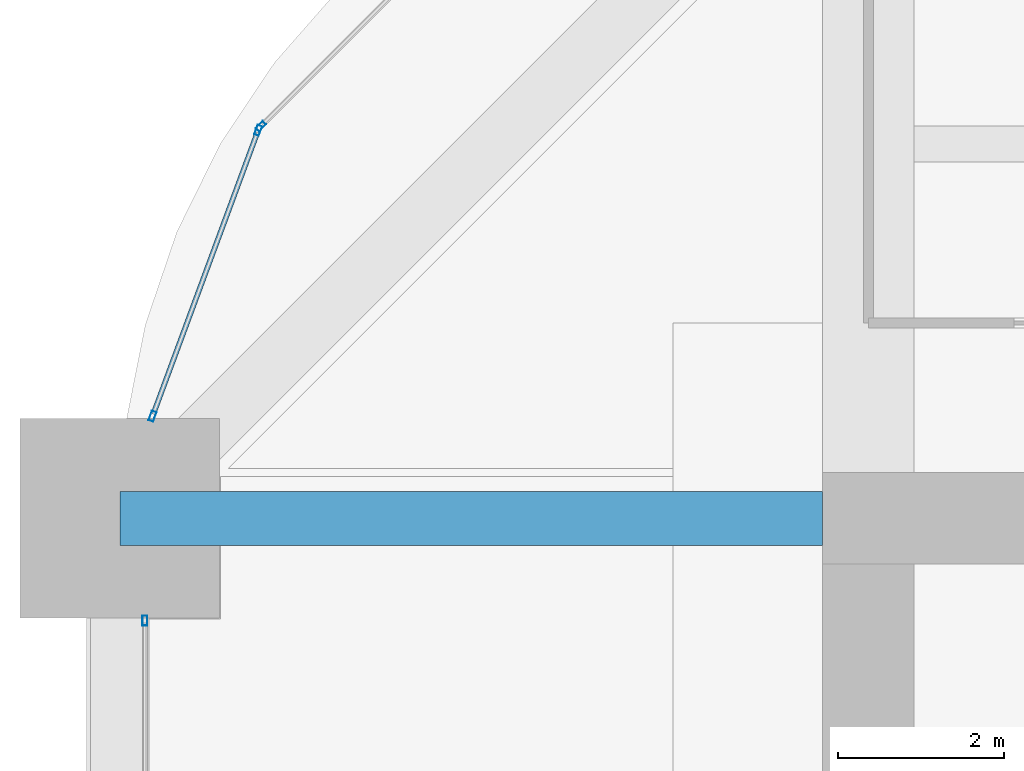
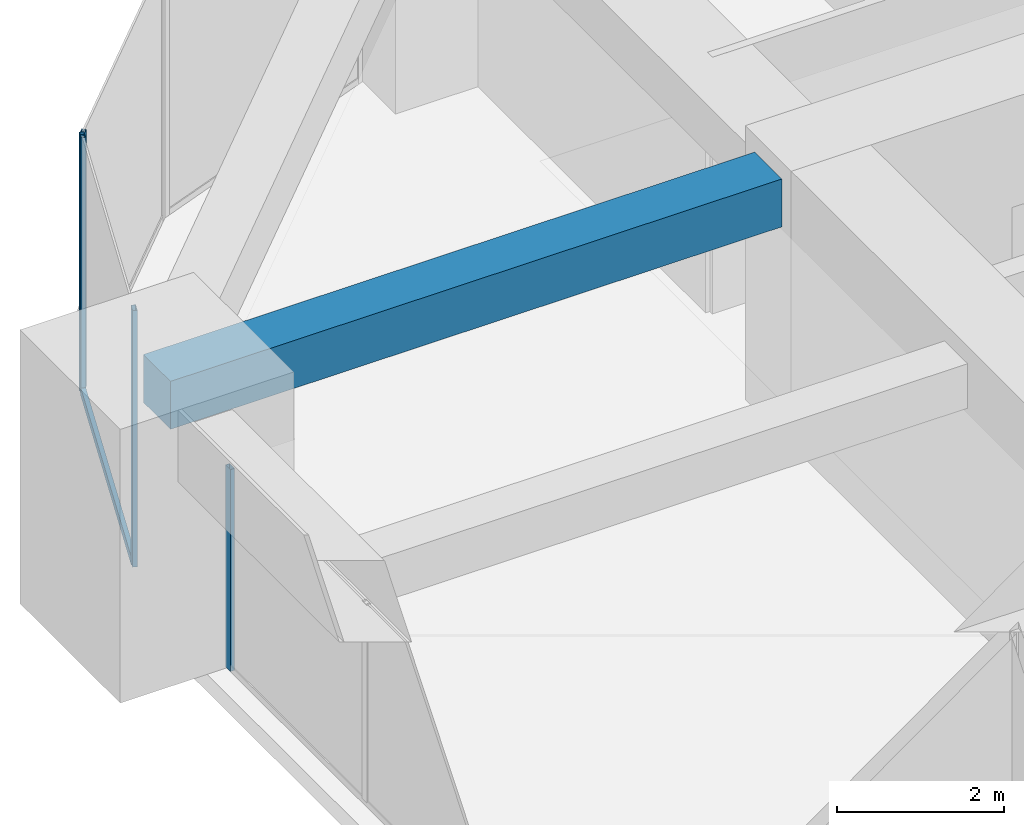
# One storey, part 28 of 45: 5 members, 1 beam, 3 elements without a shape of their own.
"""IFC4 building model written with IfcOpenShell, lengths in metres."""

import ifcopenshell
import ifcopenshell.guid

model = None  # the IFC model being written
_history = None  # IfcOwnerHistory: only IFC2X3 demands one
_inside = {}  # id of a spatial element -> (the spatial element, [elements in it])
_under = {}  # id of a project, library or spatial element -> (it, [spatial elements below it])
_declared = {}  # id of a project -> (the project, [libraries it declares])
_typed = {}  # id of a type object -> (the type object, [elements of that type])
_made_of = {}  # id of a material, layer set ... -> (it, [elements and type objects made of it])


def new_model(schema):
    """Start an empty IFC model of exactly this schema.

    Asked for "IFC4X3", IfcOpenShell would pick the latest addendum, in which some entities
    have other attributes; the version numbers below select the first issue.
    IFC2X3 requires an IfcOwnerHistory on every rooted entity: one is made here for all.
    """
    global model, _history
    if schema == "IFC4X3":
        model = ifcopenshell.file(schema_version=(4, 3, 0, 0))
    else:
        model = ifcopenshell.file(schema=schema)
    _inside.clear()
    _under.clear()
    _declared.clear()
    _typed.clear()
    _made_of.clear()
    _history = None
    if model.schema == "IFC2X3":
        org = make("IfcOrganization", Name="unknown")
        user = make(
            "IfcPersonAndOrganization",
            ThePerson=make("IfcPerson", FamilyName="unknown"),
            TheOrganization=org,
        )
        app = make(
            "IfcApplication",
            ApplicationDeveloper=org,
            Version="unknown",
            ApplicationFullName="unknown",
            ApplicationIdentifier="unknown",
        )
        _history = make(
            "IfcOwnerHistory",
            OwningUser=user,
            OwningApplication=app,
            ChangeAction="ADDED",
            CreationDate=0,
        )
    return model


def make(cls, **values):
    """One entity of the class cls with the attributes given. An attribute that is None is left unset."""
    return model.create_entity(
        cls, **{name: value for name, value in values.items() if value is not None}
    )


def rooted(cls, **values):
    """An entity with a GlobalId (a new one), such as an element, a storey or a relation."""
    return make(cls, GlobalId=ifcopenshell.guid.new(), OwnerHistory=_history, **values)


def si_unit(unit_type, name, prefix=None):
    """IfcSIUnit, for example si_unit("LENGTHUNIT", "METRE", prefix="MILLI")."""
    return make("IfcSIUnit", UnitType=unit_type, Prefix=prefix, Name=name)


def assignment(units):
    """IfcUnitAssignment: the units of a project."""
    return None if units is None else make("IfcUnitAssignment", Units=units)


def point(xyz):
    """IfcCartesianPoint."""
    return None if xyz is None else make("IfcCartesianPoint", Coordinates=xyz)


def direction(xyz):
    """IfcDirection."""
    return None if xyz is None else make("IfcDirection", DirectionRatios=xyz)


def frame(location, z_axis=None, x_axis=None):
    """IfcAxis2Placement3D, a coordinate frame: its origin and axes. An axis left out is left unset."""
    return make(
        "IfcAxis2Placement3D",
        Location=point(location),
        Axis=direction(z_axis),
        RefDirection=direction(x_axis),
    )


def frame_2d(location, x_axis=None):
    """IfcAxis2Placement2D, a coordinate frame in the plane: its origin and x axis."""
    return make(
        "IfcAxis2Placement2D", Location=point(location), RefDirection=direction(x_axis)
    )


def origin():
    """The frame at (0, 0, 0) with its axes left unset."""
    return frame((0.0, 0.0, 0.0))


def origin_2d():
    """The frame at (0, 0) in the plane with its x axis left unset."""
    return frame_2d((0.0, 0.0))


def place(relative_to, where):
    """IfcLocalPlacement: puts the frame where relative to a parent placement (None: the world)."""
    return make(
        "IfcLocalPlacement", PlacementRelTo=relative_to, RelativePlacement=where
    )


def context(
    kind, dimensions, precision=None, world=None, true_north=None, identifier=None
):
    """IfcGeometricRepresentationContext, for example the 3D "Model" context."""
    return make(
        "IfcGeometricRepresentationContext",
        ContextIdentifier=identifier,
        ContextType=kind,
        CoordinateSpaceDimension=dimensions,
        Precision=precision,
        WorldCoordinateSystem=world,
        TrueNorth=true_north,
    )


def subcontext(parent, identifier, kind, view, scale=None):
    """IfcGeometricRepresentationSubContext, for example "Body" below "Model"."""
    return make(
        "IfcGeometricRepresentationSubContext",
        ContextIdentifier=identifier,
        ContextType=kind,
        ParentContext=parent,
        TargetScale=scale,
        TargetView=view,
    )


def project(units=None, contexts=None):
    """IfcProject with its units and contexts."""
    return rooted(
        "IfcProject",
        Name="project",
        RepresentationContexts=contexts,
        UnitsInContext=assignment(units),
    )


def spatial(cls, under=None, at=None, **own):
    """A site, building, storey or space (cls), placed at a placement, below another one or the project."""
    s = rooted(cls, ObjectPlacement=at, **own)
    if under is not None:
        _under.setdefault(under.id(), (under, []))[1].append(s)
    return s


def profile(cls, at=None, kind="AREA", **sizes):
    """A parametric profile (cls). Its sizes go by their IFC names, for example OverallWidth=200.0."""
    return make(cls, ProfileType=kind, Position=at, **sizes)


def rectangle(**sizes):
    """IfcRectangleProfileDef."""
    return profile("IfcRectangleProfileDef", **sizes)


def hollow_rectangle(**sizes):
    """IfcRectangleHollowProfileDef."""
    return profile("IfcRectangleHollowProfileDef", **sizes)


def extrude(swept, where, along, depth):
    """IfcExtrudedAreaSolid: the profile swept, set in the frame where, extruded along a direction by depth."""
    return make(
        "IfcExtrudedAreaSolid",
        SweptArea=swept,
        Position=where,
        ExtrudedDirection=direction(along),
        Depth=depth,
    )


def shape(context_of_items, identifier, shape_type, items):
    """IfcShapeRepresentation: the items that make up one representation, for example the "Body"."""
    return make(
        "IfcShapeRepresentation",
        ContextOfItems=context_of_items,
        RepresentationIdentifier=identifier,
        RepresentationType=shape_type,
        Items=items,
    )


def material(Name=None, Category=None):
    """IfcMaterial."""
    return make("IfcMaterial", Name=Name, Category=Category)


def material_profile(
    of_material, cross_section, Name=None, Category=None, Priority=None
):
    """IfcMaterialProfile: a cross section and its material."""
    return make(
        "IfcMaterialProfile",
        Name=Name,
        Material=of_material,
        Profile=cross_section,
        Priority=Priority,
        Category=Category,
    )


def profile_set(profiles, Name=None, composite=None):
    """IfcMaterialProfileSet."""
    return make(
        "IfcMaterialProfileSet",
        Name=Name,
        MaterialProfiles=profiles,
        CompositeProfile=composite,
    )


def made_of(thing, what):
    """Note that an element or type object is made of a material, layer set ...; save() writes the relation."""
    if what is not None:
        _made_of.setdefault(what.id(), (what, []))[1].append(thing)
    return thing


def type_object(cls, material=None, **own):
    """A type object (cls), such as IfcWallType, which elements share."""
    return made_of(rooted(cls, **own), material)


def element(
    cls,
    number,
    at=None,
    inside=None,
    cuts=None,
    type_object=None,
    material=None,
    context=None,
    identifier="Body",
    shape_type=None,
    held_by="IfcProductDefinitionShape",
    body=None,
    shapes=None,
    **own,
):
    """One element of the class cls, such as IfcWall. Its Tag is "e" and its number.

    at: its placement. inside: the storey or other place that contains it. cuts: it is an
    opening in that element (IfcRelVoidsElement). A single representation is given by context,
    identifier, shape_type and body (its items); several are given by shapes. held_by: the class
    of the entity that holds the representations. save() writes the other relations.
    """
    e = rooted(cls, Tag="e%d" % number, ObjectPlacement=at, **own)
    if body is not None:
        shapes = [shape(context, identifier, shape_type, body)]
    if shapes is not None:
        e.Representation = make(held_by, Representations=shapes)
    if inside is not None:
        _inside.setdefault(inside.id(), (inside, []))[1].append(e)
    if cuts is not None:
        rooted(
            "IfcRelVoidsElement", RelatingBuildingElement=cuts, RelatedOpeningElement=e
        )
    if type_object is not None:
        _typed.setdefault(type_object.id(), (type_object, []))[1].append(e)
    return made_of(e, material)


def aggregate(whole, parts):
    """IfcRelAggregates: a whole, such as a stair, and the parts it consists of."""
    return rooted("IfcRelAggregates", RelatingObject=whole, RelatedObjects=parts)


def save(model, path):
    """Write the relations noted so far, then the file.

    IfcRelAggregates (storeys below a building ...), IfcRelContainedInSpatialStructure (elements
    in a storey), IfcRelDefinesByType, IfcRelAssociatesMaterial and IfcRelDeclares: one each for
    every whole, place, type object, material and project.
    """
    for whole, parts in _under.values():
        aggregate(whole, parts)
    for where, things in _inside.values():
        rooted(
            "IfcRelContainedInSpatialStructure",
            RelatedElements=things,
            RelatingStructure=where,
        )
    for kind, things in _typed.values():
        rooted("IfcRelDefinesByType", RelatedObjects=things, RelatingType=kind)
    for what, things in _made_of.values():
        rooted("IfcRelAssociatesMaterial", RelatedObjects=things, RelatingMaterial=what)
    for by, libraries in _declared.values():
        rooted("IfcRelDeclares", RelatingContext=by, RelatedDefinitions=libraries)
    model.write(path)


model = new_model("IFC4")

# Units and contexts
model_context = context("Model", 3, precision=1e-05, world=origin(), true_north=direction((0.0, 1.0)))
body_context = subcontext(model_context, "Body", "Model", "MODEL_VIEW")
ifc_project = project(units=[si_unit("LENGTHUNIT", "METRE"), si_unit("AREAUNIT", "SQUARE_METRE"), si_unit("VOLUMEUNIT", "CUBIC_METRE"), si_unit("PLANEANGLEUNIT", "RADIAN"), si_unit("MASSUNIT", "GRAM", prefix="KILO")], contexts=[model_context])

# Site, building, storey
site_placement = place(None, origin())
site = spatial("IfcSite", under=ifc_project, at=site_placement, CompositionType="ELEMENT")
building_placement = place(site_placement, origin())
building = spatial("IfcBuilding", under=site, at=building_placement, Name="Zorevar Civic Tower", CompositionType="ELEMENT")
storey_placement = place(building_placement, frame((0.0, 0.0, 247.39990234375)))
storey = spatial("IfcBuildingStorey", under=building, at=storey_placement, Name="L60", CompositionType="ELEMENT", Elevation=247.39990234375)

# Beam
ifc_material_1 = material(Name="Concrete C50/60", Category="concrete")
ifc_material_profile_1 = material_profile(ifc_material_1, rectangle(XDim=0.64990234375, YDim=0.699951171875, at=origin_2d()), Name="RC 650x700")
ifc_profile_set_1 = profile_set([ifc_material_profile_1], Name="Concrete C50/60")
beam_type = type_object("IfcBeamType", Name="Beam RC 650x700", PredefinedType="BEAM", material=ifc_profile_set_1)
beam_placement = place(storey_placement, frame((9.0, 36.0, 3.400146484375), z_axis=(1.0, 0.0, 0.0), x_axis=(0.0, 1.0, 0.0)))
element("IfcBeam", 1, at=beam_placement, inside=storey, type_object=beam_type, Name="Girder L61", PredefinedType="BEAM", context=body_context, shape_type="SweptSolid", body=[
    extrude(rectangle(XDim=0.64990234375, YDim=0.699951171875, at=origin_2d()), origin(), (0.0, 0.0, 1.0), 8.449951171875),
])

# Curtain wall, member
ifc_material_2 = material(Name="Dark grey solar-control glass in black aluminium frame", Category="aluminium")
curtain_wall_type = type_object("IfcCurtainWallType", Name="Curtain wall CW5 top zone", PredefinedType="NOTDEFINED", material=ifc_material_2)
curtain_wall_1_placement = place(storey_placement, origin())
curtain_wall_1 = element("IfcCurtainWall", 2, at=curtain_wall_1_placement, inside=storey, type_object=curtain_wall_type, Name="CW5 L60", PredefinedType="NOTDEFINED")
ifc_material_3 = material(Name="Aluminium, black anodised", Category="aluminium")
ifc_material_profile_2 = material_profile(ifc_material_3, hollow_rectangle(XDim=0.06005859375, YDim=0.1201171875, WallThickness=0.0029296875, at=origin_2d()), Name="AL 120x60x3")
ifc_profile_set_2 = profile_set([ifc_material_profile_2], Name="Aluminium, black anodised")
member_type_1 = type_object("IfcMemberType", Name="CW5 mullion AL 120x60x3", PredefinedType="MULLION", material=ifc_profile_set_2)
member_1_placement = place(storey_placement, frame((9.300048828125, 34.77001953125, 0.0), z_axis=(0.0, 0.0, 1.0), x_axis=(-1.0, 0.0, 0.0)))
member_1 = element("IfcMember", 3, at=member_1_placement, type_object=member_type_1, Name="CW5 mullion 3", PredefinedType="MULLION", context=body_context, shape_type="SweptSolid", body=[
    extrude(hollow_rectangle(XDim=0.06005859375, YDim=0.1201171875, WallThickness=0.0029296875, at=origin_2d()), origin(), (0.0, 0.0, 1.0), 2.9501953125),
])
aggregate(curtain_wall_1, [member_1])

curtain_wall_2_placement = place(storey_placement, origin())
curtain_wall_2 = element("IfcCurtainWall", 4, at=curtain_wall_2_placement, inside=storey, type_object=curtain_wall_type, Name="CW5 L60", PredefinedType="NOTDEFINED")
member_2_placement = place(storey_placement, frame((10.6953125, 40.7138671875, 0.0), z_axis=(0.0, 0.0, 1.0), x_axis=(0.707106781187, -0.707106781187, 0.0)))
member_2 = element("IfcMember", 5, at=member_2_placement, type_object=member_type_1, Name="CW5 mullion 2", PredefinedType="MULLION", context=body_context, shape_type="SweptSolid", body=[
    extrude(hollow_rectangle(XDim=0.06005859375, YDim=0.1201171875, WallThickness=0.0029296875, at=origin_2d()), origin(), (0.0, 0.0, 1.0), 3.75),
])
aggregate(curtain_wall_2, [member_2])

# Curtain wall, members
curtain_wall_3_placement = place(storey_placement, origin())
curtain_wall_3 = element("IfcCurtainWall", 6, at=curtain_wall_3_placement, inside=storey, type_object=curtain_wall_type, Name="CW5 L60", PredefinedType="NOTDEFINED")
member_3_placement = place(storey_placement, frame((10.663818359375, 40.66455078125, 0.0), z_axis=(0.0, 0.0, 1.0), x_axis=(0.937974588163, -0.346704012033, 0.0)))
member_3 = element("IfcMember", 7, at=member_3_placement, type_object=member_type_1, Name="CW5 mullion 1", PredefinedType="MULLION", context=body_context, shape_type="SweptSolid", body=[
    extrude(hollow_rectangle(XDim=0.06005859375, YDim=0.1201171875, WallThickness=0.0029296875, at=origin_2d()), origin(), (0.0, 0.0, 1.0), 3.75),
])
member_4_placement = place(storey_placement, frame((9.3935546875, 37.22802734375, 0.0), z_axis=(0.0, 0.0, 1.0), x_axis=(0.937974588163, -0.346704012033, 0.0)))
member_4 = element("IfcMember", 8, at=member_4_placement, type_object=member_type_1, Name="CW5 mullion 2", PredefinedType="MULLION", context=body_context, shape_type="SweptSolid", body=[
    extrude(hollow_rectangle(XDim=0.06005859375, YDim=0.1201171875, WallThickness=0.0029296875, at=origin_2d()), origin(), (0.0, 0.0, 1.0), 3.75),
])
ifc_material_4 = material(Name="Aluminium, black anodised", Category="aluminium")
ifc_material_profile_3 = material_profile(ifc_material_4, hollow_rectangle(XDim=0.06005859375, YDim=0.1201171875, WallThickness=0.0029296875, at=origin_2d()), Name="AL 120x60x3")
ifc_profile_set_3 = profile_set([ifc_material_profile_3], Name="Aluminium, black anodised")
member_type_2 = type_object("IfcMemberType", Name="CW5 transom AL 120x60x3", PredefinedType="USERDEFINED", material=ifc_profile_set_3)
member_5_placement = place(storey_placement, frame((10.6533203125, 40.636474609375, 0.030029296875), z_axis=(-0.346672169799, -0.93798635741, 0.0), x_axis=(0.93798635741, -0.346672169799, 0.0)))
member_5 = element("IfcMember", 9, at=member_5_placement, type_object=member_type_2, Name="CW5 sill transom", ObjectType="TRANSOM", PredefinedType="USERDEFINED", context=body_context, shape_type="SweptSolid", body=[
    extrude(hollow_rectangle(XDim=0.06005859375, YDim=0.1201171875, WallThickness=0.0029296875, at=origin_2d()), origin(), (0.0, 0.0, 1.0), 3.603515625),
])
aggregate(curtain_wall_3, [member_3, member_4, member_5])

save(model, "model.ifc")
